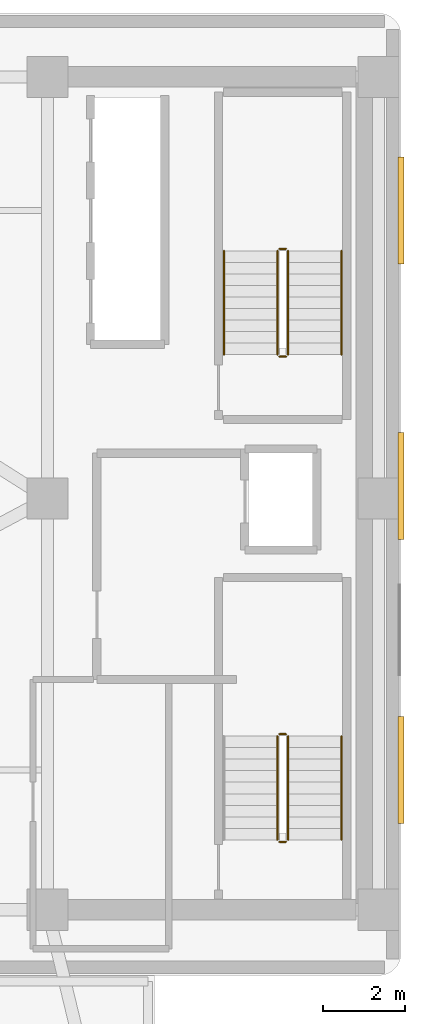
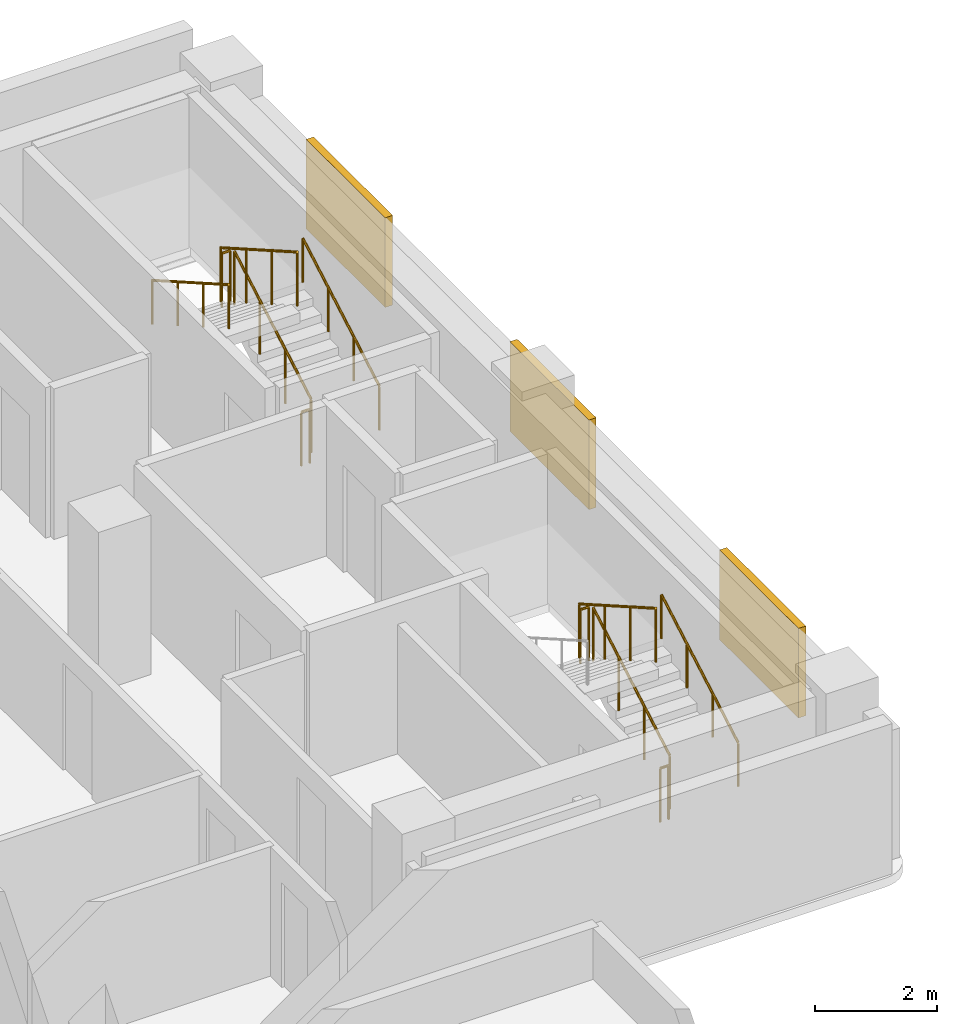
# One storey, part 11 of 11: 11 railings, 3 shading devices.
"""IFC4 building model written with IfcOpenShell, lengths in metres."""

from ifc_helpers import new_model, si_unit, direction, frame, origin, origin_2d, place, context, subcontext, project, spatial, rectangle, circle, extrude, material, layer, layer_set, type_object, element, save


model = new_model("IFC4")

# Units and contexts
model_context = context("Model", 3, precision=1e-05, world=origin(), true_north=direction((0.0, 1.0)))
body_context = subcontext(model_context, "Body", "Model", "MODEL_VIEW")
ifc_project = project(units=[si_unit("LENGTHUNIT", "METRE"), si_unit("AREAUNIT", "SQUARE_METRE"), si_unit("VOLUMEUNIT", "CUBIC_METRE"), si_unit("PLANEANGLEUNIT", "RADIAN"), si_unit("MASSUNIT", "GRAM", prefix="KILO")], contexts=[model_context])

# Site, building, storey
site_placement = place(None, origin())
site = spatial("IfcSite", under=ifc_project, at=site_placement, CompositionType="ELEMENT")
building_placement = place(site_placement, origin())
building = spatial("IfcBuilding", under=site, at=building_placement, Name="Kuzgunbayir Cultural Tower", CompositionType="ELEMENT")
storey_placement = place(building_placement, frame((0.0, 0.0, 86.60009765625)))
storey = spatial("IfcBuildingStorey", under=building, at=storey_placement, Name="L24", CompositionType="ELEMENT", Elevation=86.60009765625)

# Railings
ifc_material_1 = material(Name="Brushed Stainless Steel", Category="steel")
ifc_layer_1 = layer(ifc_material_1, 0.050048828125)
ifc_layer_set_1 = layer_set([ifc_layer_1], Name="Brushed Stainless Steel")
railing_type_1 = type_object("IfcRailingType", Name="RLG-STAIR-HANDRAIL", PredefinedType="HANDRAIL", material=ifc_layer_set_1)
for number, where, name in (
    (1, (71.75, 23.699951171875, 0.159912109375), "L24 ST-3 stair handrail 1"),
    (2, (71.75, 35.5, 0.159912109375), "L24 ST-4 stair handrail 1"),
):
    element("IfcRailing", number, at=place(storey_placement, frame(where)), inside=storey, type_object=railing_type_1, Name=name, PredefinedType="HANDRAIL", context=body_context, shape_type="SweptSolid", body=[
        extrude(circle(Radius=0.02392578125, at=origin_2d()), frame((0.0, 0.0, 0.8759765625), z_axis=(0.0, 0.868253494771, 0.496120820787), x_axis=(-1.0, 0.0, 0.0)), (0.0, 0.0, 1.0), 2.90234375),
        extrude(circle(Radius=0.02099609375, at=origin_2d()), origin(), (0.0, 0.0, 1.0), 0.851806640625),
        extrude(circle(Radius=0.02099609375, at=origin_2d()), frame((0.0, 0.840087890625, 0.47998046875)), (0.0, 0.0, 1.0), 0.851806640625),
        extrude(circle(Radius=0.02099609375, at=origin_2d()), frame((0.0, 1.679931640625, 0.9599609375)), (0.0, 0.0, 1.0), 0.851806640625),
        extrude(circle(Radius=0.02099609375, at=origin_2d()), frame((0.0, 2.52001953125, 1.43994140625)), (0.0, 0.0, 1.0), 0.851806640625),
    ])
railing_1_placement = place(storey_placement, frame((68.889892578125, 38.02001953125, 1.760009765625)))
element("IfcRailing", 3, at=railing_1_placement, inside=storey, type_object=railing_type_1, Name="L24 ST-4 stair handrail 2", PredefinedType="HANDRAIL", context=body_context, shape_type="SweptSolid", body=[
    extrude(circle(Radius=0.02392578125, at=origin_2d()), frame((0.0, 0.0, 0.8759765625), z_axis=(0.0, -0.868253494771, 0.496120820787), x_axis=(1.0, 0.0, 0.0)), (0.0, 0.0, 1.0), 2.90234375),
    extrude(circle(Radius=0.02099609375, at=origin_2d()), origin(), (0.0, 0.0, 1.0), 0.851806640625),
    extrude(circle(Radius=0.02099609375, at=origin_2d()), frame((0.0, -0.840087890625, 0.47998046875)), (0.0, 0.0, 1.0), 0.851806640625),
    extrude(circle(Radius=0.02099609375, at=origin_2d()), frame((0.0, -1.679931640625, 0.9599609375)), (0.0, 0.0, 1.0), 0.851806640625),
    extrude(circle(Radius=0.02099609375, at=origin_2d()), frame((0.0, -2.52001953125, 1.43994140625)), (0.0, 0.0, 1.0), 0.851806640625),
])
ifc_material_2 = material(Name="Painted Steel Balustrade", Category="steel")
ifc_layer_2 = layer(ifc_material_2, 0.06005859375)
ifc_layer_set_2 = layer_set([ifc_layer_2], Name="Painted Steel Balustrade")
railing_type_2 = type_object("IfcRailingType", Name="RLG-WELL-GUARD", PredefinedType="GUARDRAIL", material=ifc_layer_set_2)
railing_2_placement = place(storey_placement, frame((70.449951171875, 23.699951171875, 0.159912109375)))
element("IfcRailing", 4, at=railing_2_placement, inside=storey, type_object=railing_type_2, Name="L24 ST-3 stair guard 1", PredefinedType="GUARDRAIL", context=body_context, shape_type="SweptSolid", body=[
    extrude(circle(Radius=0.02392578125, at=origin_2d()), frame((0.0, 0.0, 1.076171875), z_axis=(0.0, 0.868253494771, 0.496120820787), x_axis=(-1.0, 0.0, 0.0)), (0.0, 0.0, 1.0), 2.90234375),
    extrude(circle(Radius=0.02099609375, at=origin_2d()), origin(), (0.0, 0.0, 1.0), 1.052001953125),
    extrude(circle(Radius=0.02099609375, at=origin_2d()), frame((0.0, 0.840087890625, 0.47998046875)), (0.0, 0.0, 1.0), 1.052001953125),
    extrude(circle(Radius=0.02099609375, at=origin_2d()), frame((0.0, 1.679931640625, 0.9599609375)), (0.0, 0.0, 1.0), 1.052001953125),
    extrude(circle(Radius=0.02099609375, at=origin_2d()), frame((0.0, 2.52001953125, 1.43994140625)), (0.0, 0.0, 1.0), 1.052001953125),
])
railing_3_placement = place(storey_placement, frame((70.39990234375, 26.27001953125, 1.599853515625)))
element("IfcRailing", 5, at=railing_3_placement, inside=storey, type_object=railing_type_2, Name="L24 ST-3 stair guard 2", PredefinedType="GUARDRAIL", context=body_context, shape_type="SweptSolid", body=[
    extrude(circle(Radius=0.02392578125, at=origin_2d()), frame((0.0, 0.0, 1.076171875), z_axis=(-1.0, 0.0, 0.0), x_axis=(0.0, -1.0, 0.0)), (0.0, 0.0, 1.0), 0.159912109375),
    extrude(circle(Radius=0.02099609375, at=origin_2d()), origin(), (0.0, 0.0, 1.0), 1.052001953125),
    extrude(circle(Radius=0.02099609375, at=origin_2d()), frame((-0.159912109375, 0.0, 0.0)), (0.0, 0.0, 1.0), 1.052001953125),
])
railing_4_placement = place(storey_placement, frame((70.18994140625, 26.219970703125, 1.760009765625)))
element("IfcRailing", 6, at=railing_4_placement, inside=storey, type_object=railing_type_2, Name="L24 ST-3 stair guard 3", PredefinedType="GUARDRAIL", context=body_context, shape_type="SweptSolid", body=[
    extrude(circle(Radius=0.02392578125, at=origin_2d()), frame((0.0, 0.0, 1.076171875), z_axis=(0.0, -0.868253494771, 0.496120820787), x_axis=(1.0, 0.0, 0.0)), (0.0, 0.0, 1.0), 2.90234375),
    extrude(circle(Radius=0.02099609375, at=origin_2d()), origin(), (0.0, 0.0, 1.0), 1.052001953125),
    extrude(circle(Radius=0.02099609375, at=origin_2d()), frame((0.0, -0.840087890625, 0.47998046875)), (0.0, 0.0, 1.0), 1.052001953125),
    extrude(circle(Radius=0.02099609375, at=origin_2d()), frame((0.0, -1.679931640625, 0.9599609375)), (0.0, 0.0, 1.0), 1.052001953125),
    extrude(circle(Radius=0.02099609375, at=origin_2d()), frame((0.0, -2.52001953125, 1.43994140625)), (0.0, 0.0, 1.0), 1.052001953125),
])
railing_5_placement = place(storey_placement, frame((70.39990234375, 23.64990234375, 0.0)))
element("IfcRailing", 7, at=railing_5_placement, inside=storey, type_object=railing_type_2, Name="L24 ST-3 stair guard 4", PredefinedType="GUARDRAIL", context=body_context, shape_type="SweptSolid", body=[
    extrude(circle(Radius=0.02392578125, at=origin_2d()), frame((0.0, 0.0, 1.076171875), z_axis=(-1.0, 0.0, 0.0), x_axis=(0.0, -1.0, 0.0)), (0.0, 0.0, 1.0), 0.159912109375),
    extrude(circle(Radius=0.02099609375, at=origin_2d()), origin(), (0.0, 0.0, 1.0), 1.052001953125),
    extrude(circle(Radius=0.02099609375, at=origin_2d()), frame((-0.159912109375, 0.0, 0.0)), (0.0, 0.0, 1.0), 1.052001953125),
])
railing_6_placement = place(storey_placement, frame((70.449951171875, 35.5, 0.159912109375)))
element("IfcRailing", 8, at=railing_6_placement, inside=storey, type_object=railing_type_2, Name="L24 ST-4 stair guard 1", PredefinedType="GUARDRAIL", context=body_context, shape_type="SweptSolid", body=[
    extrude(circle(Radius=0.02392578125, at=origin_2d()), frame((0.0, 0.0, 1.076171875), z_axis=(0.0, 0.868253494771, 0.496120820787), x_axis=(-1.0, 0.0, 0.0)), (0.0, 0.0, 1.0), 2.90234375),
    extrude(circle(Radius=0.02099609375, at=origin_2d()), origin(), (0.0, 0.0, 1.0), 1.052001953125),
    extrude(circle(Radius=0.02099609375, at=origin_2d()), frame((0.0, 0.840087890625, 0.47998046875)), (0.0, 0.0, 1.0), 1.052001953125),
    extrude(circle(Radius=0.02099609375, at=origin_2d()), frame((0.0, 1.679931640625, 0.9599609375)), (0.0, 0.0, 1.0), 1.052001953125),
    extrude(circle(Radius=0.02099609375, at=origin_2d()), frame((0.0, 2.52001953125, 1.43994140625)), (0.0, 0.0, 1.0), 1.052001953125),
])
railing_7_placement = place(storey_placement, frame((70.39990234375, 38.070068359375, 1.599853515625)))
element("IfcRailing", 9, at=railing_7_placement, inside=storey, type_object=railing_type_2, Name="L24 ST-4 stair guard 2", PredefinedType="GUARDRAIL", context=body_context, shape_type="SweptSolid", body=[
    extrude(circle(Radius=0.02392578125, at=origin_2d()), frame((0.0, 0.0, 1.076171875), z_axis=(-1.0, 0.0, 0.0), x_axis=(0.0, -1.0, 0.0)), (0.0, 0.0, 1.0), 0.159912109375),
    extrude(circle(Radius=0.02099609375, at=origin_2d()), origin(), (0.0, 0.0, 1.0), 1.052001953125),
    extrude(circle(Radius=0.02099609375, at=origin_2d()), frame((-0.159912109375, 0.0, 0.0)), (0.0, 0.0, 1.0), 1.052001953125),
])
railing_8_placement = place(storey_placement, frame((70.18994140625, 38.02001953125, 1.760009765625)))
element("IfcRailing", 10, at=railing_8_placement, inside=storey, type_object=railing_type_2, Name="L24 ST-4 stair guard 3", PredefinedType="GUARDRAIL", context=body_context, shape_type="SweptSolid", body=[
    extrude(circle(Radius=0.02392578125, at=origin_2d()), frame((0.0, 0.0, 1.076171875), z_axis=(0.0, -0.868253494771, 0.496120820787), x_axis=(1.0, 0.0, 0.0)), (0.0, 0.0, 1.0), 2.90234375),
    extrude(circle(Radius=0.02099609375, at=origin_2d()), origin(), (0.0, 0.0, 1.0), 1.052001953125),
    extrude(circle(Radius=0.02099609375, at=origin_2d()), frame((0.0, -0.840087890625, 0.47998046875)), (0.0, 0.0, 1.0), 1.052001953125),
    extrude(circle(Radius=0.02099609375, at=origin_2d()), frame((0.0, -1.679931640625, 0.9599609375)), (0.0, 0.0, 1.0), 1.052001953125),
    extrude(circle(Radius=0.02099609375, at=origin_2d()), frame((0.0, -2.52001953125, 1.43994140625)), (0.0, 0.0, 1.0), 1.052001953125),
])
railing_9_placement = place(storey_placement, frame((70.39990234375, 35.449951171875, 0.0)))
element("IfcRailing", 11, at=railing_9_placement, inside=storey, type_object=railing_type_2, Name="L24 ST-4 stair guard 4", PredefinedType="GUARDRAIL", context=body_context, shape_type="SweptSolid", body=[
    extrude(circle(Radius=0.02392578125, at=origin_2d()), frame((0.0, 0.0, 1.076171875), z_axis=(-1.0, 0.0, 0.0), x_axis=(0.0, -1.0, 0.0)), (0.0, 0.0, 1.0), 0.159912109375),
    extrude(circle(Radius=0.02099609375, at=origin_2d()), origin(), (0.0, 0.0, 1.0), 1.052001953125),
    extrude(circle(Radius=0.02099609375, at=origin_2d()), frame((-0.159912109375, 0.0, 0.0)), (0.0, 0.0, 1.0), 1.052001953125),
])

# Shading devices
ifc_material_3 = material(Name="Perforated Bronze-Anodised Aluminium", Category="aluminium")
shading_device_type = type_object("IfcShadingDeviceType", Name="SHD-SOLAR-BRONZE", PredefinedType="JALOUSIE", material=ifc_material_3)
for number, where, z_axis, x_axis, name in (
    (12, (73.199951171875, 25.39990234375, 0.7998046875), (0.0, 0.0, 1.0), (1.0, 0.0, 0.0), "L24 Companion East Bronze Solar Screen 25"),
    (13, (73.199951171875, 32.300048828125, 0.7998046875), (0.0, 0.0, 1.0), (1.0, 0.0, 0.0), "L24 Companion East Bronze Solar Screen 32"),
    (14, (73.199951171875, 39.0, 0.7998046875), (0.0, 0.0, 1.0), (1.0, 0.0, 0.0), "L24 Companion East Bronze Solar Screen 39"),
):
    element("IfcShadingDevice", number, at=place(storey_placement, frame(where, z_axis=z_axis, x_axis=x_axis)), inside=storey, type_object=shading_device_type, Name=name, PredefinedType="JALOUSIE", context=body_context, shape_type="SweptSolid", body=[
        extrude(rectangle(XDim=0.139892578125, YDim=2.60009765625, at=origin_2d()), origin(), (0.0, 0.0, 1.0), 1.800048828125),
    ])

save(model, "model.ifc")
